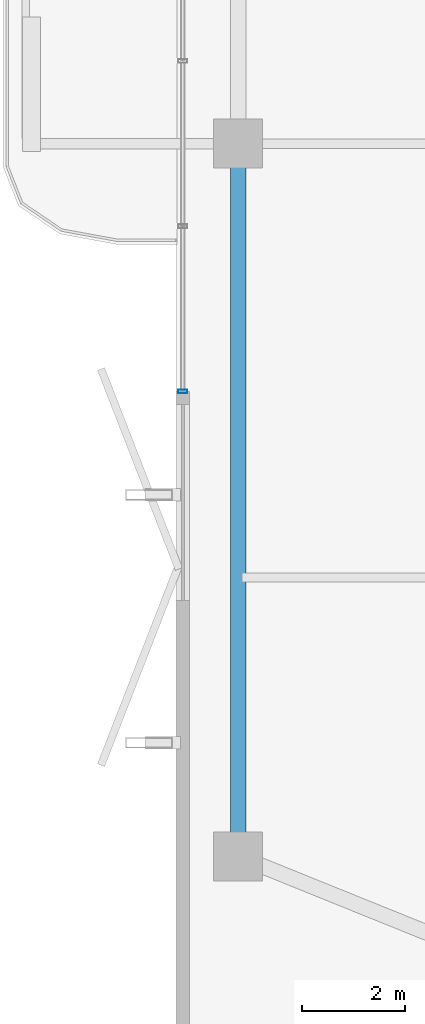
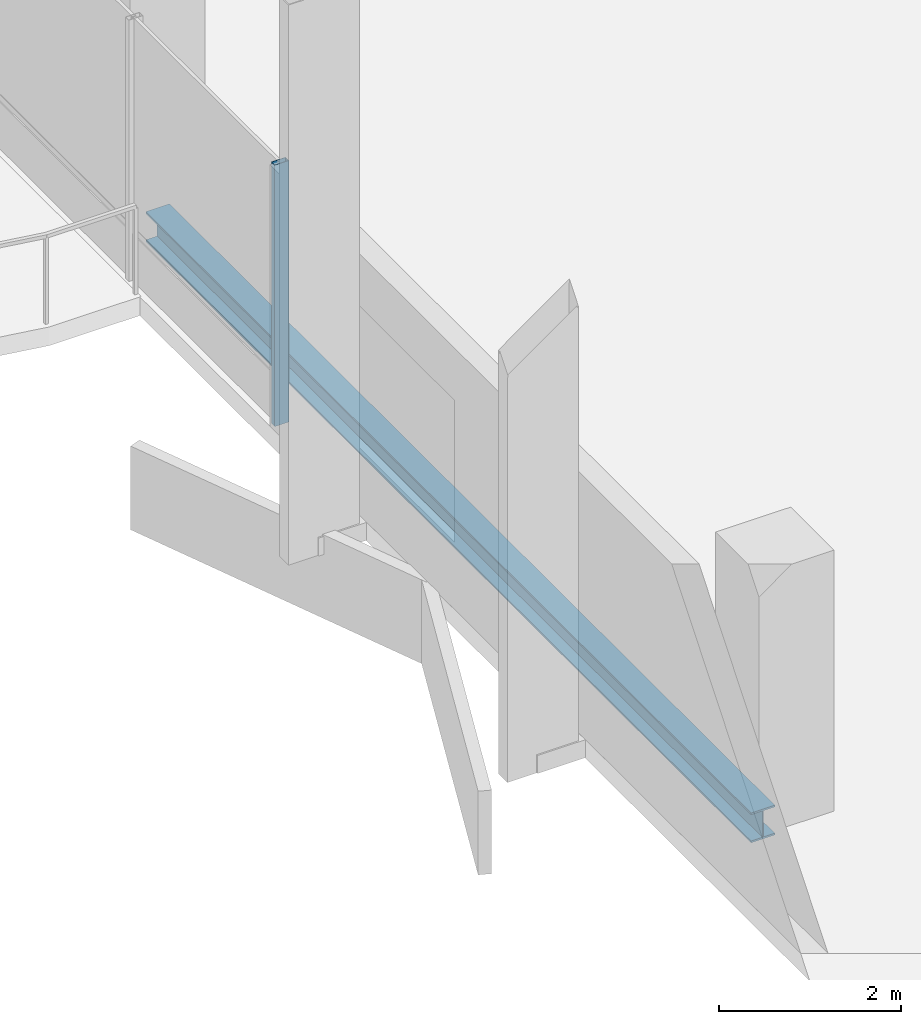
# One storey, part 4 of 25: 1 beam, 1 member, 1 element without a shape of its own.
"""IFC4 building model written with IfcOpenShell, lengths in metres."""

from ifc_helpers import new_model, si_unit, direction, frame, origin, origin_2d, place, context, subcontext, project, spatial, hollow_rectangle, i_section, extrude, material, layer, layer_set, material_profile, profile_set, type_object, element, aggregate, save


model = new_model("IFC4")

# Units and contexts
model_context = context("Model", 3, precision=1e-05, world=origin(), true_north=direction((0.0, 1.0)))
body_context = subcontext(model_context, "Body", "Model", "MODEL_VIEW")
ifc_project = project(units=[si_unit("LENGTHUNIT", "METRE"), si_unit("AREAUNIT", "SQUARE_METRE"), si_unit("VOLUMEUNIT", "CUBIC_METRE"), si_unit("PLANEANGLEUNIT", "RADIAN"), si_unit("MASSUNIT", "GRAM", prefix="KILO")], contexts=[model_context])

# Site, building, storey
site_placement = place(None, origin())
site = spatial("IfcSite", under=ifc_project, at=site_placement, CompositionType="ELEMENT")
building_placement = place(site_placement, origin())
building = spatial("IfcBuilding", under=site, at=building_placement, Name="Belovzor Exchange Tower", CompositionType="ELEMENT")
storey_placement = place(building_placement, frame((0.0, 0.0, 265.35009765625)))
storey = spatial("IfcBuildingStorey", under=building, at=storey_placement, Name="L66", CompositionType="ELEMENT", Elevation=265.35009765625)

# Curtain wall, member
ifc_material_1 = material(Name="Anodised Aluminium Framing", Category="aluminium")
ifc_layer = layer(ifc_material_1, 0.179931640625)
ifc_layer_set = layer_set([ifc_layer], Name="Anodised Aluminium Framing")
curtain_wall_type = type_object("IfcCurtainWallType", Name="Recessed Loggia Low-Iron Triple-Glazed Curtain Wall", PredefinedType="NOTDEFINED", material=ifc_layer_set)
curtain_wall_placement = place(storey_placement, origin())
curtain_wall = element("IfcCurtainWall", 1, at=curtain_wall_placement, inside=storey, type_object=curtain_wall_type, Name="CW3 Recessed Loggia Low-Iron Triple-Glazed Curtain Wall L66", PredefinedType="NOTDEFINED")
ifc_material_2 = material(Name="Steel S355", Category="steel")
ifc_material_profile_1 = material_profile(ifc_material_2, hollow_rectangle(XDim=0.074951171875, YDim=0.179931640625, WallThickness=0.0048828125, at=origin_2d()))
ifc_profile_set_1 = profile_set([ifc_material_profile_1], Name="Steel S355")
member_type = type_object("IfcMemberType", Name="Thermally Broken Curtain Wall Mullion 180x75", PredefinedType="MULLION", material=ifc_profile_set_1)
member_placement = place(storey_placement, frame((4.030029296875, 24.0, 0.0), z_axis=(0.0, 0.0, 1.0), x_axis=(0.0, 1.0, 0.0)))
member = element("IfcMember", 2, at=member_placement, type_object=member_type, Name="CW-M180 Curtain Wall Mullion 1", PredefinedType="MULLION", context=body_context, shape_type="SweptSolid", body=[
    extrude(hollow_rectangle(XDim=0.074951171875, YDim=0.179931640625, WallThickness=0.0048828125, at=origin_2d()), origin(), (0.0, 0.0, 1.0), 3.5),
])
aggregate(curtain_wall, [member])

# Beam
ifc_material_3 = material(Name="Steel S355", Category="steel")
ifc_material_profile_2 = material_profile(ifc_material_3, i_section(OverallWidth=0.300048828125, OverallDepth=0.39990234375, WebThickness=0.013427734375, FlangeThickness=0.02392578125, at=origin_2d()))
ifc_profile_set_2 = profile_set([ifc_material_profile_2], Name="Steel S355")
beam_type = type_object("IfcBeamType", Name="Zone 5 Primary Girder HEB 400", PredefinedType="BEAM", material=ifc_profile_set_2)
beam_placement = place(storey_placement, frame((5.10009765625, 28.5390625, -0.4501953125), z_axis=(0.0, -1.0, 0.0), x_axis=(1.0, 0.0, 0.0)))
element("IfcBeam", 3, at=beam_placement, inside=storey, type_object=beam_type, Name="FG-Z5 Zone 5 Primary Girder HEB 400", PredefinedType="BEAM", context=body_context, shape_type="SweptSolid", body=[
    extrude(i_section(OverallWidth=0.300048828125, OverallDepth=0.39990234375, WebThickness=0.013427734375, FlangeThickness=0.02392578125, at=origin_2d()), origin(), (0.0, 0.0, 1.0), 13.278076171875),
])

save(model, "model.ifc")
